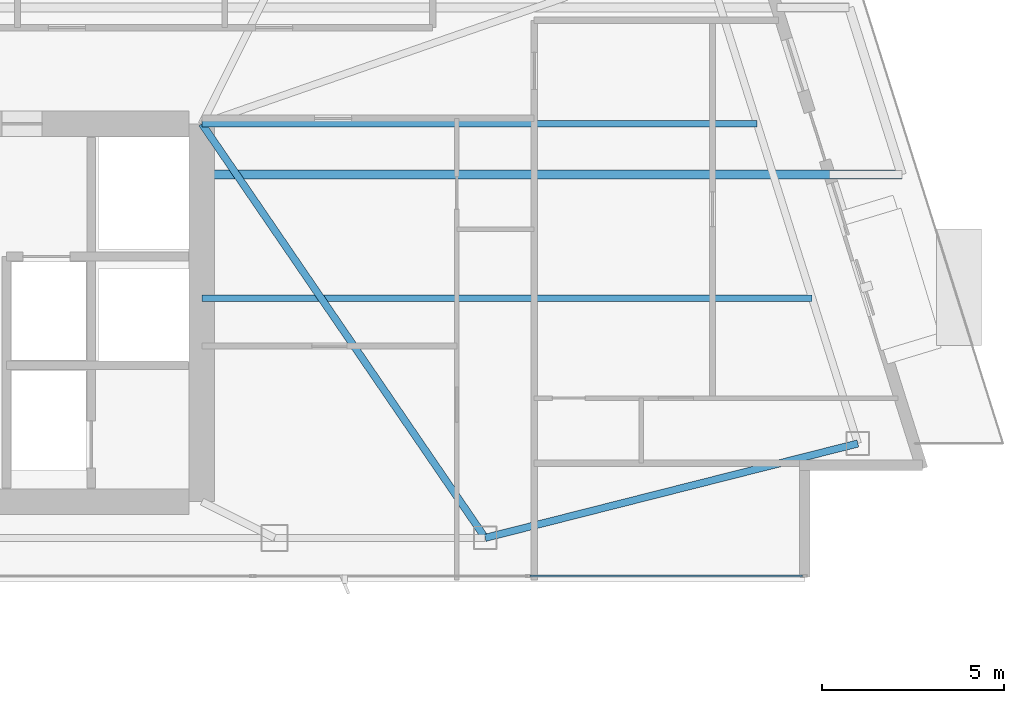
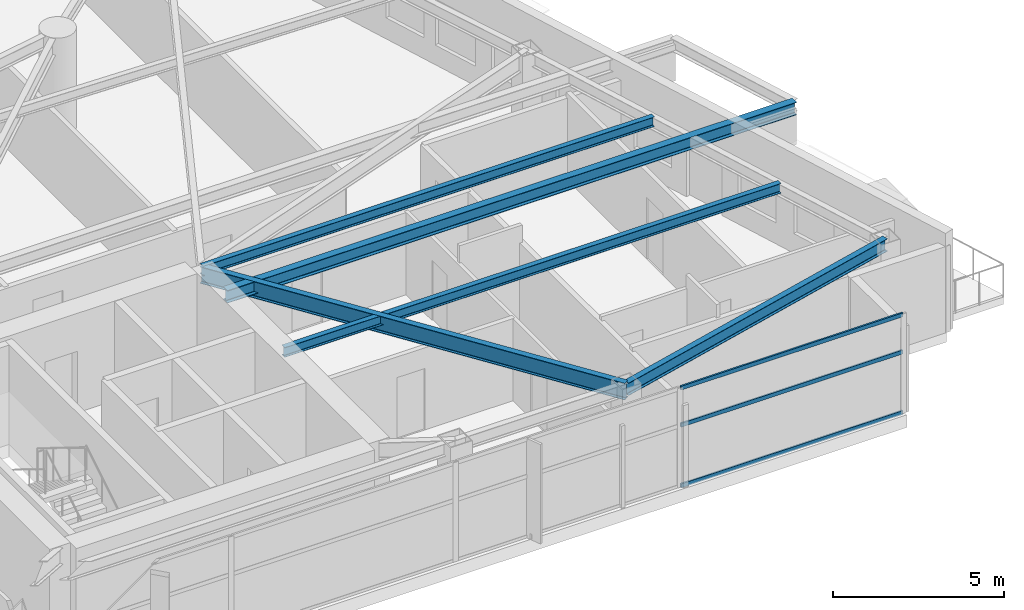
# One storey, part 13 of 29: 5 beams, 3 members, 1 element without a shape of its own.
"""IFC4 building model written with IfcOpenShell, lengths in metres."""

from ifc_helpers import new_model, si_unit, direction, frame, origin, origin_2d, place, context, subcontext, project, spatial, hollow_rectangle, i_section, extrude, material, layer, layer_set, material_profile, profile_set, type_object, element, aggregate, save


model = new_model("IFC4")

# Units and contexts
model_context = context("Model", 3, precision=1e-05, world=origin(), true_north=direction((0.0, 1.0)))
body_context = subcontext(model_context, "Body", "Model", "MODEL_VIEW")
ifc_project = project(units=[si_unit("LENGTHUNIT", "METRE"), si_unit("AREAUNIT", "SQUARE_METRE"), si_unit("VOLUMEUNIT", "CUBIC_METRE"), si_unit("PLANEANGLEUNIT", "RADIAN"), si_unit("MASSUNIT", "GRAM", prefix="KILO")], contexts=[model_context])

# Site, building, storey
site_placement = place(None, origin())
site = spatial("IfcSite", under=ifc_project, at=site_placement, CompositionType="ELEMENT")
building_placement = place(site_placement, origin())
building = spatial("IfcBuilding", under=site, at=building_placement, Name="Calvorn Quay Hotel", CompositionType="ELEMENT")
storey_placement = place(building_placement, frame((0.0, 0.0, 199.60009765625)))
storey = spatial("IfcBuildingStorey", under=building, at=storey_placement, Name="L49", CompositionType="ELEMENT", Elevation=199.60009765625)

# Beams
ifc_material_1 = material(Name="Steel Q355B", Category="steel")
ifc_material_profile_1 = material_profile(ifc_material_1, i_section(OverallWidth=0.25, OverallDepth=0.449951171875, WebThickness=0.011962890625, FlangeThickness=0.01611328125, FilletRadius=0.01611328125, at=origin_2d()), Name="HN450x250x12x16")
ifc_profile_set_1 = profile_set([ifc_material_profile_1], Name="Steel Q355B")
beam_type_1 = type_object("IfcBeamType", Name="BM-CANT-BALC", PredefinedType="BEAM", material=ifc_profile_set_1)
beam_1_placement = place(storey_placement, frame((32.39990234375, 13.60009765625, 3.31494140625), z_axis=(1.0, 0.0, 0.0), x_axis=(0.0, 1.0, 0.0)))
element("IfcBeam", 1, at=beam_1_placement, inside=storey, type_object=beam_type_1, Name="Cantilever Balcony Beam BCB-L50-1A", PredefinedType="BEAM", context=body_context, shape_type="SweptSolid", body=[
    extrude(i_section(OverallWidth=0.25, OverallDepth=0.449951171875, WebThickness=0.011962890625, FlangeThickness=0.01611328125, FilletRadius=0.01611328125, at=origin_2d()), origin(), (0.0, 0.0, 1.0), 19.26904296875),
])
ifc_material_2 = material(Name="Steel Q355B", Category="steel")
ifc_material_profile_2 = material_profile(ifc_material_2, i_section(OverallWidth=0.199951171875, OverallDepth=0.60009765625, WebThickness=0.010986328125, FlangeThickness=0.01708984375, FilletRadius=0.01806640625, at=origin_2d()), Name="HN600x200x11x17")
ifc_profile_set_2 = profile_set([ifc_material_profile_2], Name="Steel Q355B")
beam_type_2 = type_object("IfcBeamType", Name="BM-GIRD-TYP", PredefinedType="BEAM", material=ifc_profile_set_2)
beam_2_placement = place(storey_placement, frame((40.199951171875, 3.60009765625, 3.239990234375), z_axis=(-0.564689618177, 0.825303359452, 0.0), x_axis=(-0.825303359452, -0.564689618177, 0.0)))
element("IfcBeam", 2, at=beam_2_placement, inside=storey, type_object=beam_type_2, Name="Beam BG-L49-E6", PredefinedType="BEAM", context=body_context, shape_type="SweptSolid", body=[
    extrude(i_section(OverallWidth=0.199951171875, OverallDepth=0.60009765625, WebThickness=0.010986328125, FlangeThickness=0.01708984375, FilletRadius=0.01806640625, at=origin_2d()), origin(), (0.0, 0.0, 1.0), 13.81298828125),
])
ifc_material_3 = material(Name="Steel Q355B", Category="steel")
ifc_material_profile_3 = material_profile(ifc_material_3, i_section(OverallWidth=0.175048828125, OverallDepth=0.35009765625, WebThickness=0.007080078125, FlangeThickness=0.010986328125, FilletRadius=0.013916015625, at=origin_2d()), Name="HN350x175x7x11")
ifc_profile_set_3 = profile_set([ifc_material_profile_3], Name="Steel Q355B")
beam_type_3 = type_object("IfcBeamType", Name="BM-JOIST-SEC", PredefinedType="JOIST", material=ifc_profile_set_3)
beam_3_placement = place(storey_placement, frame((32.39990234375, 10.199951171875, 3.364990234375), z_axis=(1.0, 0.0, 0.0), x_axis=(0.0, 1.0, 0.0)))
element("IfcBeam", 3, at=beam_3_placement, inside=storey, type_object=beam_type_3, Name="Beam BJ-L49-E1", PredefinedType="JOIST", context=body_context, shape_type="SweptSolid", body=[
    extrude(i_section(OverallWidth=0.175048828125, OverallDepth=0.35009765625, WebThickness=0.007080078125, FlangeThickness=0.010986328125, FilletRadius=0.013916015625, at=origin_2d()), origin(), (0.0, 0.0, 1.0), 16.801025390625),
])
beam_4_placement = place(storey_placement, frame((32.39990234375, 15.0, 3.364990234375), z_axis=(1.0, 0.0, 0.0), x_axis=(0.0, 1.0, 0.0)))
element("IfcBeam", 4, at=beam_4_placement, inside=storey, type_object=beam_type_3, Name="Beam BJ-L49-E2", PredefinedType="JOIST", context=body_context, shape_type="SweptSolid", body=[
    extrude(i_section(OverallWidth=0.175048828125, OverallDepth=0.35009765625, WebThickness=0.007080078125, FlangeThickness=0.010986328125, FilletRadius=0.013916015625, at=origin_2d()), origin(), (0.0, 0.0, 1.0), 15.2880859375),
])
ifc_material_4 = material(Name="Steel Q355B", Category="steel")
ifc_material_profile_4 = material_profile(ifc_material_4, i_section(OverallWidth=0.199951171875, OverallDepth=0.449951171875, WebThickness=0.009033203125, FlangeThickness=0.013916015625, FilletRadius=0.01611328125, at=origin_2d()), Name="HN450x200x9x14")
ifc_profile_set_4 = profile_set([ifc_material_profile_4], Name="Steel Q355B")
beam_type_4 = type_object("IfcBeamType", Name="BM-SPANDREL-Z3", PredefinedType="SPANDREL", material=ifc_profile_set_4)
beam_5_placement = place(storey_placement, frame((40.199951171875, 3.60009765625, 3.31494140625), z_axis=(0.969368358966, 0.245611450537, 0.0), x_axis=(-0.245611450537, 0.969368358966, 0.0)))
element("IfcBeam", 5, at=beam_5_placement, inside=storey, type_object=beam_type_4, Name="Beam BSP-L49-S5", PredefinedType="SPANDREL", context=body_context, shape_type="SweptSolid", body=[
    extrude(i_section(OverallWidth=0.199951171875, OverallDepth=0.449951171875, WebThickness=0.009033203125, FlangeThickness=0.013916015625, FilletRadius=0.01611328125, at=origin_2d()), origin(), (0.0, 0.0, 1.0), 10.585205078125),
])

# Curtain wall, members
ifc_material_5 = material(Name="Champagne Bronze Anodised Aluminium and Low-E Glass", Category="aluminium")
ifc_layer = layer(ifc_material_5, 0.219970703125)
ifc_layer_set = layer_set([ifc_layer], Name="CW-SYS-Z3")
curtain_wall_type = type_object("IfcCurtainWallType", Name="CW-SYS-Z3", PredefinedType="NOTDEFINED", material=ifc_layer_set)
curtain_wall_placement = place(storey_placement, origin())
curtain_wall = element("IfcCurtainWall", 6, at=curtain_wall_placement, inside=storey, type_object=curtain_wall_type, Name="Tower South Waterfront Curtain Wall (L49)", PredefinedType="NOTDEFINED")
ifc_material_6 = material(Name="Champagne Bronze Anodised Aluminium 6063-T6", Category="aluminium")
ifc_material_profile_5 = material_profile(ifc_material_6, hollow_rectangle(XDim=0.05810546875, YDim=0.139892578125, WallThickness=0.003173828125, at=origin_2d()), Name="ALU-T140x58x3.2")
ifc_profile_set_5 = profile_set([ifc_material_profile_5], Name="Champagne Bronze Anodised Aluminium 6063-T6")
member_type = type_object("IfcMemberType", Name="CW-SYS-Z3-TRN", PredefinedType="USERDEFINED", material=ifc_profile_set_5)
member_1_placement = place(storey_placement, frame((41.429931640625, 2.550048828125, 0.02978515625), z_axis=(1.0, 0.0, 0.0), x_axis=(0.0, 1.0, 0.0)))
member_1 = element("IfcMember", 7, at=member_1_placement, type_object=member_type, Name="CW-L49-S transom 5.1", ObjectType="TRANSOM", PredefinedType="USERDEFINED", context=body_context, shape_type="SweptSolid", body=[
    extrude(hollow_rectangle(XDim=0.05810546875, YDim=0.139892578125, WallThickness=0.003173828125, at=origin_2d()), origin(), (0.0, 0.0, 1.0), 7.510009765625),
])
member_2_placement = place(storey_placement, frame((41.429931640625, 2.550048828125, 2.199951171875), z_axis=(1.0, 0.0, 0.0), x_axis=(0.0, 1.0, 0.0)))
member_2 = element("IfcMember", 8, at=member_2_placement, type_object=member_type, Name="CW-L49-S transom 5.2", ObjectType="TRANSOM", PredefinedType="USERDEFINED", context=body_context, shape_type="SweptSolid", body=[
    extrude(hollow_rectangle(XDim=0.05810546875, YDim=0.139892578125, WallThickness=0.003173828125, at=origin_2d()), origin(), (0.0, 0.0, 1.0), 7.510009765625),
])
member_3_placement = place(storey_placement, frame((41.429931640625, 2.550048828125, 3.52978515625), z_axis=(1.0, 0.0, 0.0), x_axis=(0.0, 1.0, 0.0)))
member_3 = element("IfcMember", 9, at=member_3_placement, type_object=member_type, Name="CW-L49-S transom 5.3", ObjectType="TRANSOM", PredefinedType="USERDEFINED", context=body_context, shape_type="SweptSolid", body=[
    extrude(hollow_rectangle(XDim=0.05810546875, YDim=0.139892578125, WallThickness=0.003173828125, at=origin_2d()), origin(), (0.0, 0.0, 1.0), 7.510009765625),
])
aggregate(curtain_wall, [member_1, member_2, member_3])

save(model, "model.ifc")
